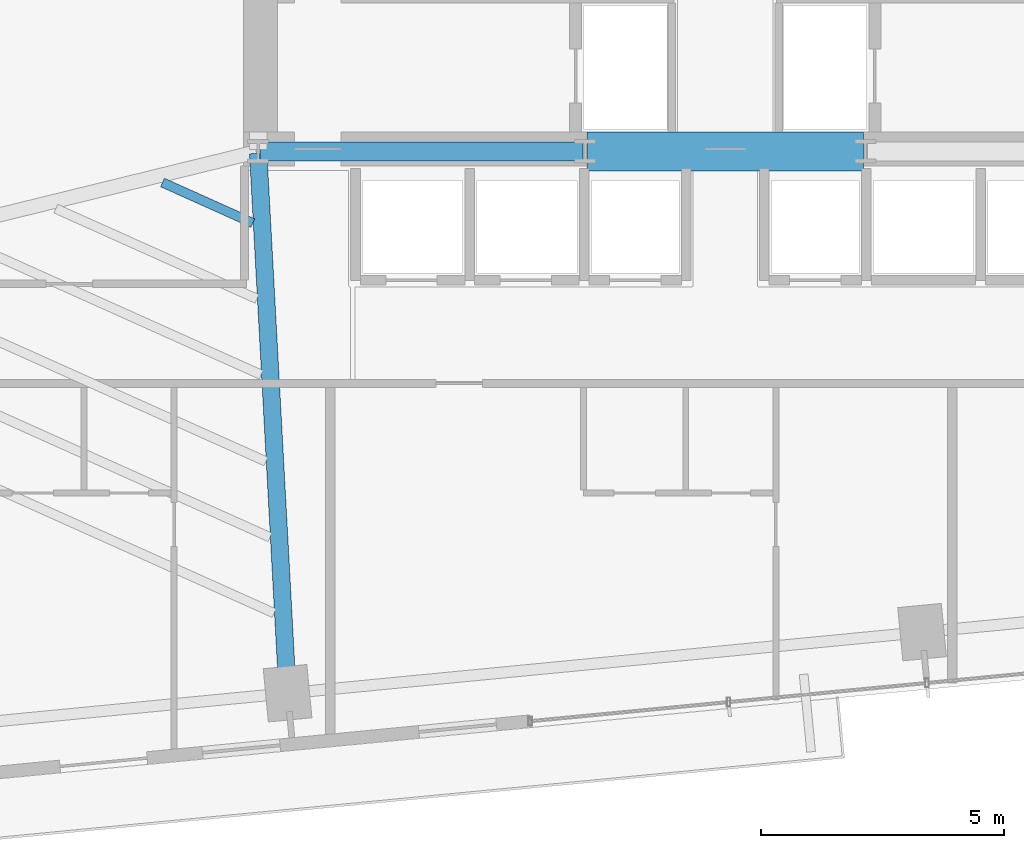
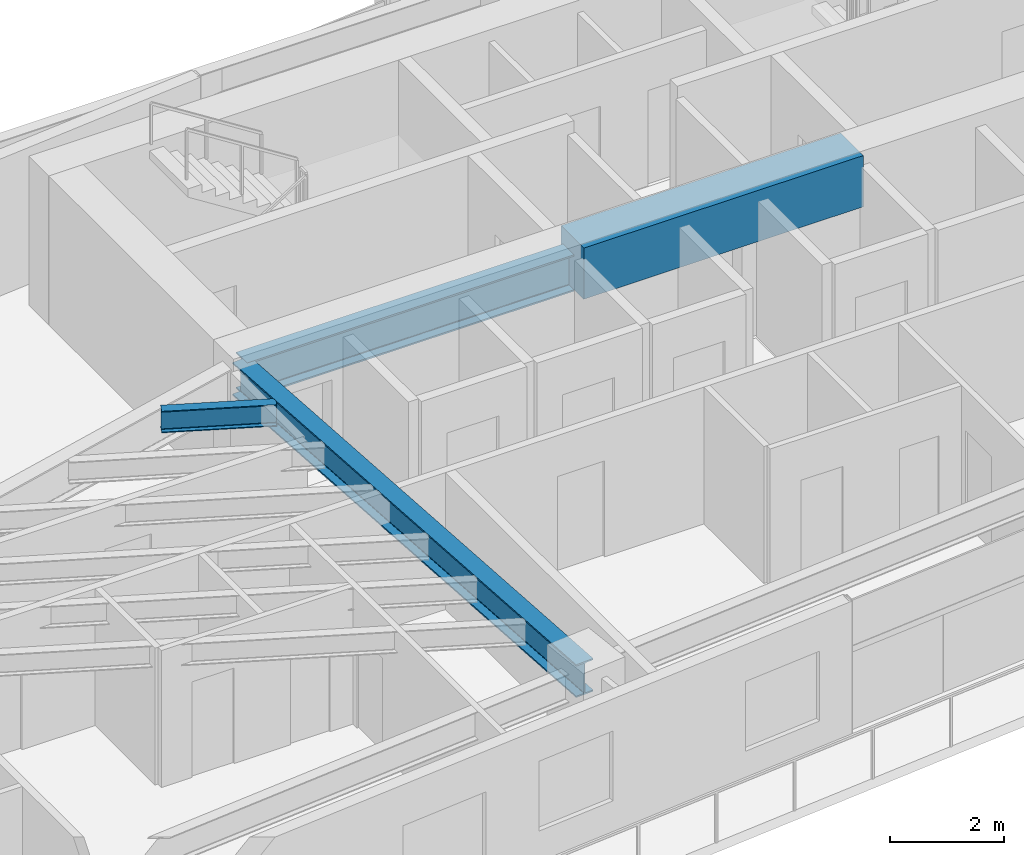
# One storey, part 7 of 27: 4 beams.
"""IFC4 building model written with IfcOpenShell, lengths in metres."""

from ifc_helpers import new_model, si_unit, direction, frame, origin, origin_2d, place, context, subcontext, project, spatial, rectangle, i_section, extrude, source, transform, mapped, material, material_profile, profile_set, type_object, type_shapes, element, save


model = new_model("IFC4")

# Units and contexts
model_context = context("Model", 3, precision=1e-05, world=origin(), true_north=direction((0.0, 1.0)))
body_context = subcontext(model_context, "Body", "Model", "MODEL_VIEW")
ifc_project = project(units=[si_unit("LENGTHUNIT", "METRE"), si_unit("AREAUNIT", "SQUARE_METRE"), si_unit("VOLUMEUNIT", "CUBIC_METRE"), si_unit("PLANEANGLEUNIT", "RADIAN"), si_unit("MASSUNIT", "GRAM", prefix="KILO")], contexts=[model_context])

# Site, building, storey
site_placement = place(None, origin())
site = spatial("IfcSite", under=ifc_project, at=site_placement, CompositionType="ELEMENT")
building_placement = place(site_placement, origin())
building = spatial("IfcBuilding", under=site, at=building_placement, Name="Astriad Promenade Condominiums", CompositionType="ELEMENT")
storey_placement = place(building_placement, frame((0.0, 0.0, 97.0)))
storey = spatial("IfcBuildingStorey", under=building, at=storey_placement, Name="L27", CompositionType="ELEMENT", Elevation=97.0)

# Beams
ifc_material_1 = material(Name="Steel ASTM A992 Grade 50", Category="steel")
ifc_material_profile_1 = material_profile(ifc_material_1, i_section(OverallWidth=0.3837890625, OverallDepth=0.785888671875, WebThickness=0.019775390625, FlangeThickness=0.033447265625, FilletRadius=0.021484375, at=origin_2d()), Name="W30X211")
ifc_profile_set_1 = profile_set([ifc_material_profile_1], Name="Steel ASTM A992 Grade 50")
beam_type_1 = type_object("IfcBeamType", Name="STEEL FLOOR GIRDER W30X211", PredefinedType="BEAM", material=ifc_profile_set_1)
shared_shape_1 = source(origin(), body_context, "Body", "SweptSolid", [
    extrude(i_section(OverallWidth=0.3837890625, OverallDepth=0.785888671875, WebThickness=0.019775390625, FlangeThickness=0.033447265625, FilletRadius=0.021484375, at=origin_2d()), origin(), (0.0, 0.0, 1.0), 6.64013671875),
])
type_shapes(beam_type_1, [shared_shape_1])
beam_1_placement = place(storey_placement, frame((26.43994140625, 17.39990234375, 2.547119140625), z_axis=(1.0, 0.0, 0.0), x_axis=(0.0, 1.0, 0.0)))
element("IfcBeam", 1, at=beam_1_placement, inside=storey, type_object=beam_type_1, Name="Core Ring Beam CG-S1-L27", PredefinedType="BEAM", context=body_context, shape_type="MappedRepresentation", body=[
    mapped(shared_shape_1, transform((0.0, 0.0, 0.0), scale=1.0)),
])
ifc_material_2 = material(Name="Concrete C80/95", Category="concrete")
ifc_material_profile_2 = material_profile(ifc_material_2, rectangle(XDim=0.800048828125, YDim=1.10009765625, at=origin_2d()), Name="RC-BM-800X1100")
ifc_profile_set_2 = profile_set([ifc_material_profile_2], Name="Concrete C80/95")
beam_type_2 = type_object("IfcBeamType", Name="CONCRETE CORE COUPLING LINTEL 800X1100", PredefinedType="LINTEL", material=ifc_profile_set_2)
shared_shape_2 = source(origin(), body_context, "Body", "SweptSolid", [
    extrude(rectangle(XDim=0.800048828125, YDim=1.10009765625, at=origin_2d()), origin(), (0.0, 0.0, 1.0), 5.68017578125),
])
type_shapes(beam_type_2, [shared_shape_2])
beam_2_placement = place(storey_placement, frame((33.159912109375, 17.39990234375, 2.6298828125), z_axis=(1.0, 0.0, 0.0), x_axis=(0.0, 1.0, 0.0)))
element("IfcBeam", 2, at=beam_2_placement, inside=storey, type_object=beam_type_2, Name="Core Ring Beam CG-S2-L27", PredefinedType="LINTEL", context=body_context, shape_type="MappedRepresentation", body=[
    mapped(shared_shape_2, transform((0.0, 0.0, 0.0), scale=1.0)),
])
ifc_material_profile_3 = material_profile(ifc_material_1, i_section(OverallWidth=0.35791015625, OverallDepth=0.706298828125, WebThickness=0.018310546875, FlangeThickness=0.0302734375, FilletRadius=0.020263671875, at=origin_2d()), Name="W27X178")
ifc_profile_set_3 = profile_set([ifc_material_profile_3], Name="Steel ASTM A992 Grade 50")
beam_type_3 = type_object("IfcBeamType", Name="STEEL FLOOR GIRDER W27X178", PredefinedType="BEAM", material=ifc_profile_set_3)
shared_shape_3 = source(origin(), body_context, "Body", "SweptSolid", [
    extrude(i_section(OverallWidth=0.35791015625, OverallDepth=0.706298828125, WebThickness=0.018310546875, FlangeThickness=0.0302734375, FilletRadius=0.020263671875, at=origin_2d()), origin(), (0.0, 0.0, 1.0), 11.071533203125),
])
type_shapes(beam_type_3, [shared_shape_3])
beam_3_placement = place(storey_placement, frame((27.00341796875, 6.304931640625, 2.5869140625), z_axis=(-0.05431219074, 0.998524003686, 0.0), x_axis=(-0.998524003686, -0.05431219074, 0.0)))
element("IfcBeam", 3, at=beam_3_placement, inside=storey, type_object=beam_type_3, Name="Primary Floor Girder PG-W2-L27", PredefinedType="BEAM", context=body_context, shape_type="MappedRepresentation", body=[
    mapped(shared_shape_3, transform((0.0, 0.0, 0.0), scale=1.0)),
])
ifc_material_profile_4 = material_profile(ifc_material_1, i_section(OverallWidth=0.19287109375, OverallDepth=0.466064453125, WebThickness=0.011474609375, FlangeThickness=0.01904296875, FilletRadius=0.01513671875, at=origin_2d()), Name="W18X65")
ifc_profile_set_4 = profile_set([ifc_material_profile_4], Name="Steel ASTM A992 Grade 50")
beam_type_4 = type_object("IfcBeamType", Name="STEEL FLOOR JOIST W18X65", PredefinedType="JOIST", material=ifc_profile_set_4)
shared_shape_4 = source(origin(), body_context, "Body", "SweptSolid", [
    extrude(i_section(OverallWidth=0.19287109375, OverallDepth=0.466064453125, WebThickness=0.011474609375, FlangeThickness=0.01904296875, FilletRadius=0.01513671875, at=origin_2d()), origin(), (0.0, 0.0, 1.0), 2.03564453125),
])
type_shapes(beam_type_4, [shared_shape_4])
beam_4_placement = place(storey_placement, frame((24.434814453125, 16.76123046875, 2.706787109375), z_axis=(0.912286908711, -0.409551701492, 0.0), x_axis=(0.409551701492, 0.912286908711, 0.0)))
element("IfcBeam", 4, at=beam_4_placement, inside=storey, type_object=beam_type_4, Name="Secondary Composite Floor Joist JW1-6-L27", PredefinedType="JOIST", context=body_context, shape_type="MappedRepresentation", body=[
    mapped(shared_shape_4, transform((0.0, 0.0, 0.0), scale=1.0)),
])

save(model, "model.ifc")
